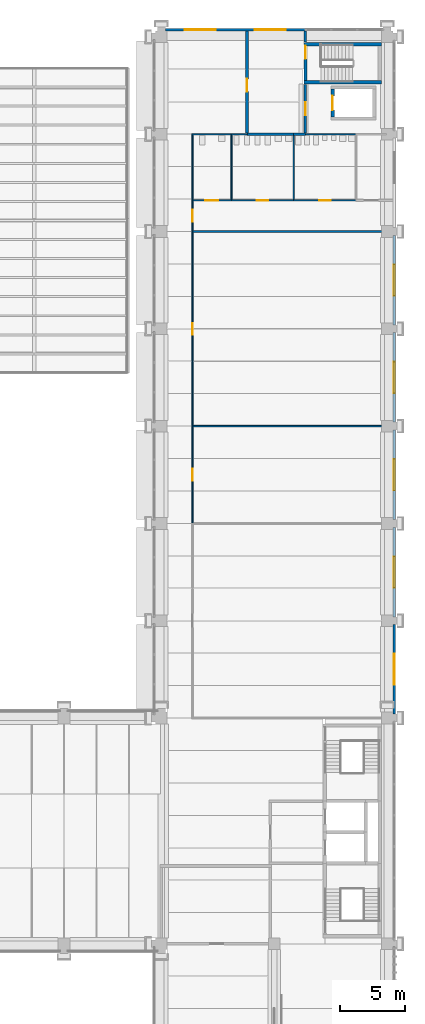
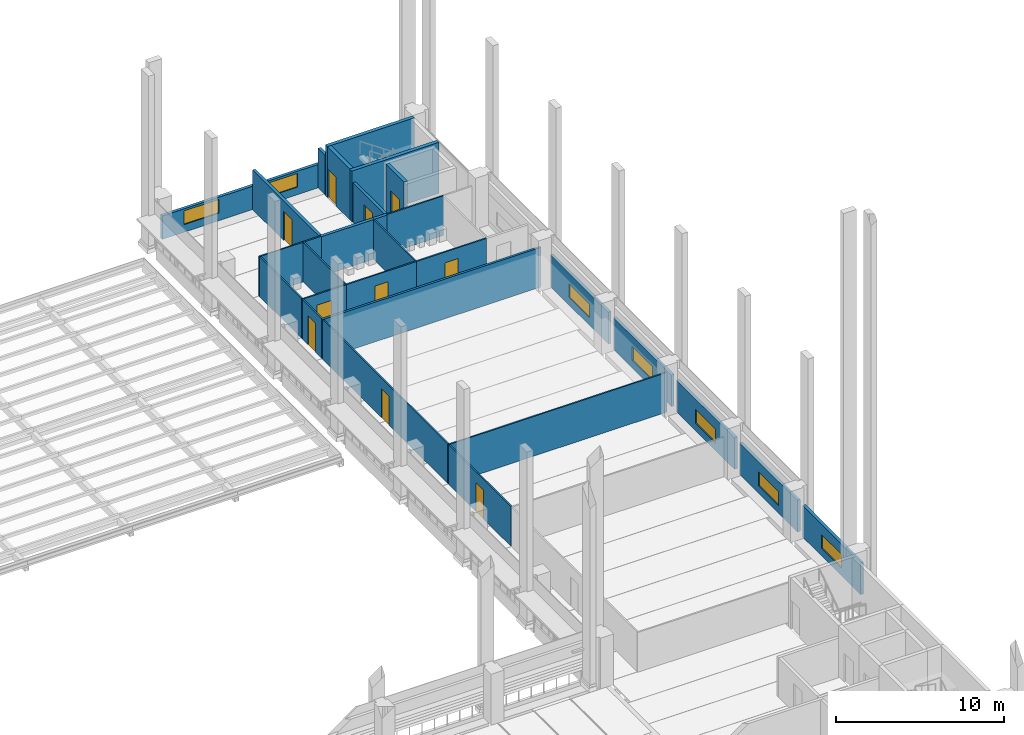
# One storey, part 40 of 67: 29 walls, 10 doors, 7 windows, 17 openings.
"""IFC4 building model written with IfcOpenShell, lengths in metres."""

from ifc_helpers import new_model, si_unit, direction, frame, frame_2d, origin, place, context, subcontext, project, spatial, rectangle, extrude, material, layer, layer_set, type_object, element, fill, save


model = new_model("IFC4")

# Units and contexts
model_context = context("Model", 3, precision=1e-05, world=origin(), true_north=direction((0.0, 1.0)))
body_context = subcontext(model_context, "Body", "Model", "MODEL_VIEW")
ifc_project = project(units=[si_unit("LENGTHUNIT", "METRE"), si_unit("AREAUNIT", "SQUARE_METRE"), si_unit("VOLUMEUNIT", "CUBIC_METRE"), si_unit("PLANEANGLEUNIT", "RADIAN"), si_unit("MASSUNIT", "GRAM", prefix="KILO")], contexts=[model_context])

# Site, building, storey
site_placement = place(None, origin())
site = spatial("IfcSite", under=ifc_project, at=site_placement, CompositionType="ELEMENT")
building_placement = place(site_placement, origin())
building = spatial("IfcBuilding", under=site, at=building_placement, Name="Cour d'Honneur Mobility Palace", CompositionType="ELEMENT")
storey_placement = place(building_placement, frame((0.0, 0.0, 4.5)))
storey = spatial("IfcBuildingStorey", under=building, at=storey_placement, Name="L01", CompositionType="ELEMENT", Elevation=4.5)

# Wall, opening, door
ifc_material_1 = material(Name="Concrete C50", Category="concrete")
ifc_layer_1 = layer(ifc_material_1, 0.25)
ifc_layer_set_1 = layer_set([ifc_layer_1], Name="Concrete C50")
wall_type_1 = type_object("IfcWallType", Name="Lift shaft wall 250", PredefinedType="SHEAR", material=ifc_layer_set_1)
wall_1_placement = place(storey_placement, frame((158.10009765625, 108.72509765625, 0.0), z_axis=(0.0, 0.0, 1.0), x_axis=(0.0, 1.0, 0.0)))
wall_1 = element("IfcWall", 1, at=wall_1_placement, inside=storey, type_object=wall_type_1, Name="Lift shaft wall WL-NE6 L01", PredefinedType="SHEAR", context=body_context, shape_type="SweptSolid", body=[
    extrude(rectangle(XDim=2.14990234375, YDim=0.25, at=frame_2d((1.074951171875, 0.0))), origin(), (0.0, 0.0, 1.0), 3.699951171875),
])
opening_1_placement = place(wall_1_placement, frame((0.52490234375, 0.0, 0.0)))
opening_1 = element("IfcOpeningElement", 2, at=opening_1_placement, cuts=wall_1, Name="Opening LD60", PredefinedType="OPENING", context=body_context, shape_type="SweptSolid", body=[
    extrude(rectangle(XDim=1.10009765625, YDim=2.10009765625, at=frame_2d((0.550048828125, 1.050048828125))), frame((0.0, 0.135009765625, 0.0), z_axis=(0.0, -1.0, 0.0), x_axis=(1.0, 0.0, 0.0)), (0.0, 0.0, 1.0), 0.27001953125),
])
ifc_material_2 = material(Name="Stainless steel", Category="steel")
door_type_1 = type_object("IfcDoorType", Name="Landing door 1100 x 2100", OperationType="SLIDING_TO_LEFT", PredefinedType="DOOR", material=ifc_material_2)
door_1_placement = place(opening_1_placement, origin())
door_1 = element("IfcDoor", 3, at=door_1_placement, inside=storey, type_object=door_type_1, Name="Landing door LF-NE1 L01", OperationType="SLIDING_TO_LEFT", OverallHeight=2.10009765625, OverallWidth=1.10009765625, PredefinedType="DOOR", context=body_context, shape_type="SweptSolid", body=[
    extrude(rectangle(XDim=1.10009765625, YDim=2.10009765625, at=frame_2d((0.550048828125, 1.050048828125))), frame((0.0, 0.02490234375, 0.0), z_axis=(0.0, -1.0, 0.0), x_axis=(1.0, 0.0, 0.0)), (0.0, 0.0, 1.0), 0.050048828125),
])
fill(opening_1, door_1)

ifc_material_3 = material(Name="Concrete C50", Category="concrete")
ifc_layer_2 = layer(ifc_material_3, 0.199951171875)
ifc_layer_set_2 = layer_set([ifc_layer_2], Name="Concrete C50")
wall_type_2 = type_object("IfcWallType", Name="Load-bearing lobby wall 200 rated EI 120", PredefinedType="PARTITIONING", material=ifc_layer_set_2)
wall_2_placement = place(storey_placement, frame((156.0, 107.5, 0.0), z_axis=(0.0, 0.0, 1.0), x_axis=(0.0, 1.0, 0.0)))
wall_2 = element("IfcWall", 4, at=wall_2_placement, inside=storey, type_object=wall_type_2, Name="Partition 081", PredefinedType="PARTITIONING", context=body_context, shape_type="SweptSolid", body=[
    extrude(rectangle(XDim=3.72509765625, YDim=0.199951171875, at=frame_2d((1.862548828125, 0.0))), origin(), (0.0, 0.0, 1.0), 2.8798828125),
])
opening_2_placement = place(wall_2_placement, frame((1.362548828125, 0.0, 0.0)))
opening_2 = element("IfcOpeningElement", 5, at=opening_2_placement, cuts=wall_2, Name="Opening D0130", PredefinedType="OPENING", context=body_context, shape_type="SweptSolid", body=[
    extrude(rectangle(XDim=1.0, YDim=2.10009765625, at=frame_2d((0.5, 1.050048828125))), frame((0.0, 0.10986328125, 0.0), z_axis=(0.0, -1.0, 0.0), x_axis=(1.0, 0.0, 0.0)), (0.0, 0.0, 1.0), 0.219970703125),
])
ifc_material_4 = material(Name="Galvanised steel", Category="steel")
door_type_2 = type_object("IfcDoorType", Name="Fire door FD120 1000 x 2100", OperationType="SINGLE_SWING_LEFT", PredefinedType="DOOR", material=ifc_material_4)
door_2_placement = place(opening_2_placement, origin())
door_2 = element("IfcDoor", 6, at=door_2_placement, inside=storey, type_object=door_type_2, Name="Door Lift Lobby", OperationType="SINGLE_SWING_RIGHT", OverallHeight=2.10009765625, OverallWidth=1.0, PredefinedType="DOOR", context=body_context, shape_type="SweptSolid", body=[
    extrude(rectangle(XDim=1.0, YDim=2.10009765625, at=frame_2d((0.5, 1.050048828125))), frame((0.0, 0.02490234375, 0.0), z_axis=(0.0, -1.0, 0.0), x_axis=(1.0, 0.0, 0.0)), (0.0, 0.0, 1.0), 0.050048828125),
])
fill(opening_2, door_2)

ifc_material_5 = material(Name="Gypsum plasterboard")
ifc_layer_3 = layer(ifc_material_5, 0.10009765625)
ifc_layer_set_3 = layer_set([ifc_layer_3], Name="Gypsum plasterboard")
wall_type_3 = type_object("IfcWallType", Name="Partition 100", PredefinedType="PARTITIONING", material=ifc_layer_set_3)
wall_3_placement = place(storey_placement, frame((147.300048828125, 84.85009765625, 0.0), z_axis=(0.0, 0.0, 1.0), x_axis=(0.0, -1.0, 0.0)))
wall_3 = element("IfcWall", 7, at=wall_3_placement, inside=storey, type_object=wall_type_3, Name="Partition 048", PredefinedType="PARTITIONING", context=body_context, shape_type="SweptSolid", body=[
    extrude(rectangle(XDim=7.400146484375, YDim=0.10009765625, at=frame_2d((3.7001953125, 0.0))), origin(), (0.0, 0.0, 1.0), 2.8798828125),
])
opening_3_placement = place(wall_3_placement, frame((3.25, 0.0, 0.0)))
opening_3 = element("IfcOpeningElement", 8, at=opening_3_placement, cuts=wall_3, Name="Opening D0121", PredefinedType="OPENING", context=body_context, shape_type="SweptSolid", body=[
    extrude(rectangle(XDim=0.89990234375, YDim=2.10009765625, at=frame_2d((0.449951171875, 1.050048828125))), frame((0.0, 0.06005859375, 0.0), z_axis=(0.0, -1.0, 0.0), x_axis=(1.0, 0.0, 0.0)), (0.0, 0.0, 1.0), 0.1201171875),
])
ifc_material_6 = material(Name="Solid timber", Category="wood")
door_type_3 = type_object("IfcDoorType", Name="Single door 900 x 2100", OperationType="SINGLE_SWING_LEFT", PredefinedType="DOOR", material=ifc_material_6)
door_3_placement = place(opening_3_placement, origin())
door_3 = element("IfcDoor", 9, at=door_3_placement, inside=storey, type_object=door_type_3, Name="Door Parts Store", OperationType="SINGLE_SWING_LEFT", OverallHeight=2.10009765625, OverallWidth=0.89990234375, PredefinedType="DOOR", context=body_context, shape_type="SweptSolid", body=[
    extrude(rectangle(XDim=0.89990234375, YDim=2.10009765625, at=frame_2d((0.449951171875, 1.050048828125))), frame((0.0, 0.02490234375, 0.0), z_axis=(0.0, -1.0, 0.0), x_axis=(1.0, 0.0, 0.0)), (0.0, 0.0, 1.0), 0.050048828125),
])
fill(opening_3, door_3)

# Wall
wall_4_placement = place(storey_placement, frame((162.239990234375, 84.89990234375, 0.0), z_axis=(0.0, 0.0, 1.0), x_axis=(-1.0, 0.0, 0.0)))
element("IfcWall", 10, at=wall_4_placement, inside=storey, type_object=wall_type_3, Name="Partition 049", PredefinedType="PARTITIONING", context=body_context, shape_type="SweptSolid", body=[
    extrude(rectangle(XDim=14.989990234375, YDim=0.10009765625, at=frame_2d((7.4951171875, 0.0))), origin(), (0.0, 0.0, 1.0), 2.8798828125),
])

# Wall, opening, door
wall_5_placement = place(storey_placement, frame((147.300048828125, 99.824951171875, 0.0), z_axis=(0.0, 0.0, 1.0), x_axis=(0.0, -1.0, 0.0)))
wall_5 = element("IfcWall", 11, at=wall_5_placement, inside=storey, type_object=wall_type_3, Name="Partition 052", PredefinedType="PARTITIONING", context=body_context, shape_type="SweptSolid", body=[
    extrude(rectangle(XDim=14.875, YDim=0.10009765625, at=frame_2d((7.4375, 0.0))), origin(), (0.0, 0.0, 1.0), 2.8798828125),
])
opening_4_placement = place(wall_5_placement, frame((6.987548828125, 0.0, 0.0)))
opening_4 = element("IfcOpeningElement", 12, at=opening_4_placement, cuts=wall_5, Name="Opening D0122", PredefinedType="OPENING", context=body_context, shape_type="SweptSolid", body=[
    extrude(rectangle(XDim=0.89990234375, YDim=2.10009765625, at=frame_2d((0.449951171875, 1.050048828125))), frame((0.0, 0.06005859375, 0.0), z_axis=(0.0, -1.0, 0.0), x_axis=(1.0, 0.0, 0.0)), (0.0, 0.0, 1.0), 0.1201171875),
])
door_4_placement = place(opening_4_placement, origin())
door_4 = element("IfcDoor", 13, at=door_4_placement, inside=storey, type_object=door_type_3, Name="Door Fleet Operations Centre", OperationType="SINGLE_SWING_LEFT", OverallHeight=2.10009765625, OverallWidth=0.89990234375, PredefinedType="DOOR", context=body_context, shape_type="SweptSolid", body=[
    extrude(rectangle(XDim=0.89990234375, YDim=2.10009765625, at=frame_2d((0.449951171875, 1.050048828125))), frame((0.0, 0.02490234375, 0.0), z_axis=(0.0, -1.0, 0.0), x_axis=(1.0, 0.0, 0.0)), (0.0, 0.0, 1.0), 0.050048828125),
])
fill(opening_4, door_4)

wall_6_placement = place(storey_placement, frame((147.300048828125, 102.25, 0.0), z_axis=(0.0, 0.0, 1.0), x_axis=(0.0, -1.0, 0.0)))
wall_6 = element("IfcWall", 14, at=wall_6_placement, inside=storey, type_object=wall_type_3, Name="Partition 062", PredefinedType="PARTITIONING", context=body_context, shape_type="SweptSolid", body=[
    extrude(rectangle(XDim=2.27490234375, YDim=0.10009765625, at=frame_2d((1.137451171875, 0.0))), origin(), (0.0, 0.0, 1.0), 2.8798828125),
])
opening_5_placement = place(wall_6_placement, frame((0.6875, 0.0, 0.0)))
opening_5 = element("IfcOpeningElement", 15, at=opening_5_placement, cuts=wall_6, Name="Opening D0123", PredefinedType="OPENING", context=body_context, shape_type="SweptSolid", body=[
    extrude(rectangle(XDim=0.89990234375, YDim=2.10009765625, at=frame_2d((0.449951171875, 1.050048828125))), frame((0.0, 0.06005859375, 0.0), z_axis=(0.0, -1.0, 0.0), x_axis=(1.0, 0.0, 0.0)), (0.0, 0.0, 1.0), 0.1201171875),
])
door_5_placement = place(opening_5_placement, origin())
door_5 = element("IfcDoor", 16, at=door_5_placement, inside=storey, type_object=door_type_3, Name="Door WC Corridor East", OperationType="SINGLE_SWING_LEFT", OverallHeight=2.10009765625, OverallWidth=0.89990234375, PredefinedType="DOOR", context=body_context, shape_type="SweptSolid", body=[
    extrude(rectangle(XDim=0.89990234375, YDim=2.10009765625, at=frame_2d((0.449951171875, 1.050048828125))), frame((0.0, 0.02490234375, 0.0), z_axis=(0.0, -1.0, 0.0), x_axis=(1.0, 0.0, 0.0)), (0.0, 0.0, 1.0), 0.050048828125),
])
fill(opening_5, door_5)

wall_7_placement = place(storey_placement, frame((150.300048828125, 102.300048828125, 0.0), z_axis=(0.0, 0.0, 1.0), x_axis=(-1.0, 0.0, 0.0)))
wall_7 = element("IfcWall", 17, at=wall_7_placement, inside=storey, type_object=wall_type_3, Name="Partition 063", PredefinedType="PARTITIONING", context=body_context, shape_type="SweptSolid", body=[
    extrude(rectangle(XDim=3.050048828125, YDim=0.10009765625, at=frame_2d((1.52490234375, 0.0))), origin(), (0.0, 0.0, 1.0), 2.8798828125),
])
opening_6_placement = place(wall_7_placement, frame((1.02490234375, 0.0, 0.0)))
opening_6 = element("IfcOpeningElement", 18, at=opening_6_placement, cuts=wall_7, Name="Opening D0127", PredefinedType="OPENING", context=body_context, shape_type="SweptSolid", body=[
    extrude(rectangle(XDim=1.0, YDim=2.10009765625, at=frame_2d((0.5, 1.050048828125))), frame((0.0, 0.06005859375, 0.0), z_axis=(0.0, -1.0, 0.0), x_axis=(1.0, 0.0, 0.0)), (0.0, 0.0, 1.0), 0.1201171875),
])
ifc_material_7 = material(Name="Solid timber", Category="wood")
door_type_4 = type_object("IfcDoorType", Name="Accessible door 1000 x 2100", OperationType="SINGLE_SWING_LEFT", PredefinedType="DOOR", material=ifc_material_7)
door_6_placement = place(opening_6_placement, origin())
door_6 = element("IfcDoor", 19, at=door_6_placement, inside=storey, type_object=door_type_4, Name="Door Accessible WC East", OperationType="SINGLE_SWING_RIGHT", OverallHeight=2.10009765625, OverallWidth=1.0, PredefinedType="DOOR", context=body_context, shape_type="SweptSolid", body=[
    extrude(rectangle(XDim=1.0, YDim=2.10009765625, at=frame_2d((0.5, 1.050048828125))), frame((0.0, 0.02490234375, 0.0), z_axis=(0.0, -1.0, 0.0), x_axis=(1.0, 0.0, 0.0)), (0.0, 0.0, 1.0), 0.050048828125),
])
fill(opening_6, door_6)

wall_8_placement = place(storey_placement, frame((155.10009765625, 102.300048828125, 0.0), z_axis=(0.0, 0.0, 1.0), x_axis=(-1.0, 0.0, 0.0)))
wall_8 = element("IfcWall", 20, at=wall_8_placement, inside=storey, type_object=wall_type_3, Name="Partition 064", PredefinedType="PARTITIONING", context=body_context, shape_type="SweptSolid", body=[
    extrude(rectangle(XDim=4.800048828125, YDim=0.10009765625, at=frame_2d((2.39990234375, 0.0))), origin(), (0.0, 0.0, 1.0), 2.8798828125),
])
opening_7_placement = place(wall_8_placement, frame((1.949951171875, 0.0, 0.0)))
opening_7 = element("IfcOpeningElement", 21, at=opening_7_placement, cuts=wall_8, Name="Opening D0126", PredefinedType="OPENING", context=body_context, shape_type="SweptSolid", body=[
    extrude(rectangle(XDim=0.89990234375, YDim=2.10009765625, at=frame_2d((0.449951171875, 1.050048828125))), frame((0.0, 0.06005859375, 0.0), z_axis=(0.0, -1.0, 0.0), x_axis=(1.0, 0.0, 0.0)), (0.0, 0.0, 1.0), 0.1201171875),
])
door_7_placement = place(opening_7_placement, origin())
door_7 = element("IfcDoor", 22, at=door_7_placement, inside=storey, type_object=door_type_3, Name="Door WC Women East", OperationType="SINGLE_SWING_LEFT", OverallHeight=2.10009765625, OverallWidth=0.89990234375, PredefinedType="DOOR", context=body_context, shape_type="SweptSolid", body=[
    extrude(rectangle(XDim=0.89990234375, YDim=2.10009765625, at=frame_2d((0.449951171875, 1.050048828125))), frame((0.0, 0.02490234375, 0.0), z_axis=(0.0, -1.0, 0.0), x_axis=(1.0, 0.0, 0.0)), (0.0, 0.0, 1.0), 0.050048828125),
])
fill(opening_7, door_7)

wall_9_placement = place(storey_placement, frame((159.89990234375, 102.300048828125, 0.0), z_axis=(0.0, 0.0, 1.0), x_axis=(-1.0, 0.0, 0.0)))
wall_9 = element("IfcWall", 23, at=wall_9_placement, inside=storey, type_object=wall_type_3, Name="Partition 065", PredefinedType="PARTITIONING", context=body_context, shape_type="SweptSolid", body=[
    extrude(rectangle(XDim=4.7998046875, YDim=0.10009765625, at=frame_2d((2.39990234375, 0.0))), origin(), (0.0, 0.0, 1.0), 2.8798828125),
])
opening_8_placement = place(wall_9_placement, frame((1.949951171875, 0.0, 0.0)))
opening_8 = element("IfcOpeningElement", 24, at=opening_8_placement, cuts=wall_9, Name="Opening D0125", PredefinedType="OPENING", context=body_context, shape_type="SweptSolid", body=[
    extrude(rectangle(XDim=0.89990234375, YDim=2.10009765625, at=frame_2d((0.449951171875, 1.050048828125))), frame((0.0, 0.06005859375, 0.0), z_axis=(0.0, -1.0, 0.0), x_axis=(1.0, 0.0, 0.0)), (0.0, 0.0, 1.0), 0.1201171875),
])
door_8_placement = place(opening_8_placement, origin())
door_8 = element("IfcDoor", 25, at=door_8_placement, inside=storey, type_object=door_type_3, Name="Door WC Men East", OperationType="SINGLE_SWING_LEFT", OverallHeight=2.10009765625, OverallWidth=0.89990234375, PredefinedType="DOOR", context=body_context, shape_type="SweptSolid", body=[
    extrude(rectangle(XDim=0.89990234375, YDim=2.10009765625, at=frame_2d((0.449951171875, 1.050048828125))), frame((0.0, 0.02490234375, 0.0), z_axis=(0.0, -1.0, 0.0), x_axis=(1.0, 0.0, 0.0)), (0.0, 0.0, 1.0), 0.050048828125),
])
fill(opening_8, door_8)

# Walls
for number, where, z_axis, x_axis, name in (
    (26, (147.300048828125, 107.35009765625, 0.0), (0.0, 0.0, 1.0), (0.0, -1.0, 0.0), "Partition 074"),
    (27, (150.300048828125, 107.35009765625, 0.0), (0.0, 0.0, 1.0), (0.0, -1.0, 0.0), "Partition 075"),
):
    element("IfcWall", number, at=place(storey_placement, frame(where, z_axis=z_axis, x_axis=x_axis)), inside=storey, type_object=wall_type_3, Name=name, PredefinedType="PARTITIONING", context=body_context, shape_type="SweptSolid", body=[
        extrude(rectangle(XDim=5.0, YDim=0.10009765625, at=frame_2d((2.5, 0.0))), origin(), (0.0, 0.0, 1.0), 2.8798828125),
    ])
wall_10_placement = place(storey_placement, frame((150.300048828125, 107.39990234375, 0.0), z_axis=(0.0, 0.0, 1.0), x_axis=(-1.0, 0.0, 0.0)))
element("IfcWall", 28, at=wall_10_placement, inside=storey, type_object=wall_type_3, Name="Partition 076", PredefinedType="PARTITIONING", context=body_context, shape_type="SweptSolid", body=[
    extrude(rectangle(XDim=3.050048828125, YDim=0.10009765625, at=frame_2d((1.52490234375, 0.0))), origin(), (0.0, 0.0, 1.0), 2.8798828125),
])
wall_11_placement = place(storey_placement, frame((151.5, 107.39990234375, 0.0), z_axis=(0.0, 0.0, 1.0), x_axis=(-1.0, 0.0, 0.0)))
element("IfcWall", 29, at=wall_11_placement, inside=storey, type_object=wall_type_3, Name="Partition 077", PredefinedType="PARTITIONING", context=body_context, shape_type="SweptSolid", body=[
    extrude(rectangle(XDim=1.199951171875, YDim=0.10009765625, at=frame_2d((0.60009765625, 0.0))), origin(), (0.0, 0.0, 1.0), 2.8798828125),
])
wall_12_placement = place(storey_placement, frame((155.10009765625, 107.300048828125, 0.0), z_axis=(0.0, 0.0, 1.0), x_axis=(0.0, -1.0, 0.0)))
element("IfcWall", 30, at=wall_12_placement, inside=storey, type_object=wall_type_3, Name="Partition 079", PredefinedType="PARTITIONING", context=body_context, shape_type="SweptSolid", body=[
    extrude(rectangle(XDim=4.949951171875, YDim=0.10009765625, at=frame_2d((2.47509765625, 0.0))), origin(), (0.0, 0.0, 1.0), 2.8798828125),
])
wall_13_placement = place(storey_placement, frame((159.89990234375, 107.39990234375, 0.0), z_axis=(0.0, 0.0, 1.0), x_axis=(-1.0, 0.0, 0.0)))
element("IfcWall", 31, at=wall_13_placement, inside=storey, type_object=wall_type_3, Name="Partition 083", PredefinedType="PARTITIONING", context=body_context, shape_type="SweptSolid", body=[
    extrude(rectangle(XDim=3.89990234375, YDim=0.10009765625, at=frame_2d((1.949951171875, 0.0))), origin(), (0.0, 0.0, 1.0), 2.8798828125),
])
ifc_material_8 = material(Name="Gypsum plasterboard")
ifc_layer_4 = layer(ifc_material_8, 0.14990234375)
ifc_layer_set_4 = layer_set([ifc_layer_4], Name="Gypsum plasterboard")
wall_type_4 = type_object("IfcWallType", Name="Partition 150 rated EI 60", PredefinedType="PARTITIONING", material=ifc_layer_set_4)
wall_14_placement = place(storey_placement, frame((162.239990234375, 99.89990234375, 0.0), z_axis=(0.0, 0.0, 1.0), x_axis=(-1.0, 0.0, 0.0)))
element("IfcWall", 32, at=wall_14_placement, inside=storey, type_object=wall_type_4, Name="Partition 053", PredefinedType="PARTITIONING", context=body_context, shape_type="SweptSolid", body=[
    extrude(rectangle(XDim=14.989990234375, YDim=0.14990234375, at=frame_2d((7.4951171875, 0.0))), origin(), (0.0, 0.0, 1.0), 2.8798828125),
])
ifc_material_9 = material(Name="Gypsum plasterboard")
ifc_layer_5 = layer(ifc_material_9, 0.199951171875)
ifc_layer_set_5 = layer_set([ifc_layer_5], Name="Gypsum plasterboard")
wall_type_5 = type_object("IfcWallType", Name="Partition 200 rated EI 120", PredefinedType="PARTITIONING", material=ifc_layer_set_5)
wall_15_placement = place(storey_placement, frame((151.5, 107.39990234375, 0.0), z_axis=(0.0, 0.0, 1.0), x_axis=(1.0, 0.0, 0.0)))
element("IfcWall", 33, at=wall_15_placement, inside=storey, type_object=wall_type_5, Name="Partition 078", PredefinedType="PARTITIONING", context=body_context, shape_type="SweptSolid", body=[
    extrude(rectangle(XDim=3.60009765625, YDim=0.199951171875, at=frame_2d((1.800048828125, 0.0))), origin(), (0.0, 0.0, 1.0), 2.8798828125),
])
wall_16_placement = place(storey_placement, frame((155.10009765625, 107.39990234375, 0.0), z_axis=(0.0, 0.0, 1.0), x_axis=(1.0, 0.0, 0.0)))
element("IfcWall", 34, at=wall_16_placement, inside=storey, type_object=wall_type_5, Name="Partition 080", PredefinedType="PARTITIONING", context=body_context, shape_type="SweptSolid", body=[
    extrude(rectangle(XDim=0.89990234375, YDim=0.199951171875, at=frame_2d((0.449951171875, 0.0))), origin(), (0.0, 0.0, 1.0), 2.8798828125),
])
wall_17_placement = place(storey_placement, frame((156.0, 114.5, 0.0), z_axis=(0.0, 0.0, 1.0), x_axis=(0.0, 1.0, 0.0)))
element("IfcWall", 35, at=wall_17_placement, inside=storey, type_object=wall_type_5, Name="Partition 086", PredefinedType="PARTITIONING", context=body_context, shape_type="SweptSolid", body=[
    extrude(rectangle(XDim=0.85009765625, YDim=0.199951171875, at=frame_2d((0.425048828125, 0.0))), origin(), (0.0, 0.0, 1.0), 2.8798828125),
])

# Wall, opening, door
wall_18_placement = place(storey_placement, frame((151.5, 115.35009765625, 0.0), z_axis=(0.0, 0.0, 1.0), x_axis=(0.0, -1.0, 0.0)))
wall_18 = element("IfcWall", 36, at=wall_18_placement, inside=storey, type_object=wall_type_5, Name="Partition 088", PredefinedType="PARTITIONING", context=body_context, shape_type="SweptSolid", body=[
    extrude(rectangle(XDim=7.85009765625, YDim=0.199951171875, at=frame_2d((3.925048828125, 0.0))), origin(), (0.0, 0.0, 1.0), 2.8798828125),
])
opening_9_placement = place(wall_18_placement, frame((3.679931640625, 0.0, 0.0)))
opening_9 = element("IfcOpeningElement", 37, at=opening_9_placement, cuts=wall_18, Name="Opening D0103", PredefinedType="OPENING", context=body_context, shape_type="SweptSolid", body=[
    extrude(rectangle(XDim=1.0, YDim=2.10009765625, at=frame_2d((0.5, 1.050048828125))), frame((0.0, 0.10986328125, 0.0), z_axis=(0.0, -1.0, 0.0), x_axis=(1.0, 0.0, 0.0)), (0.0, 0.0, 1.0), 0.219970703125),
])
door_9_placement = place(opening_9_placement, origin())
door_9 = element("IfcDoor", 38, at=door_9_placement, inside=storey, type_object=door_type_2, Name="Door Lift Lobby NE", OperationType="SINGLE_SWING_RIGHT", OverallHeight=2.10009765625, OverallWidth=1.0, PredefinedType="DOOR", context=body_context, shape_type="SweptSolid", body=[
    extrude(rectangle(XDim=1.0, YDim=2.10009765625, at=frame_2d((0.5, 1.050048828125))), frame((0.0, 0.02490234375, 0.0), z_axis=(0.0, -1.0, 0.0), x_axis=(1.0, 0.0, 0.0)), (0.0, 0.0, 1.0), 0.050048828125),
])
fill(opening_9, door_9)

# Wall, opening, window
ifc_material_10 = material(Name="Concrete C40", Category="concrete")
ifc_layer_6 = layer(ifc_material_10, 0.199951171875)
ifc_layer_set_6 = layer_set([ifc_layer_6], Name="Concrete C40")
wall_type_6 = type_object("IfcWallType", Name="Spandrel panel", PredefinedType="SOLIDWALL", material=ifc_layer_set_6)
wall_19_placement = place(storey_placement, frame((162.85009765625, 62.699951171875, 0.0), z_axis=(0.0, 0.0, 1.0), x_axis=(0.0, 1.0, 0.0)))
wall_19 = element("IfcWall", 39, at=wall_19_placement, inside=storey, type_object=wall_type_6, Name="Spandrel panel SW-33", PredefinedType="SOLIDWALL", context=body_context, shape_type="SweptSolid", body=[
    extrude(rectangle(XDim=6.900146484375, YDim=0.199951171875, at=frame_2d((3.4501953125, 0.0))), origin(), (0.0, 0.0, 1.0), 2.300048828125),
])
opening_10_placement = place(wall_19_placement, frame((2.25, 0.0, 0.550048828125)))
opening_10 = element("IfcOpeningElement", 40, at=opening_10_placement, cuts=wall_19, Name="Opening W2-33", PredefinedType="OPENING", context=body_context, shape_type="SweptSolid", body=[
    extrude(rectangle(XDim=2.39990234375, YDim=1.0, at=frame_2d((1.199951171875, 0.5))), frame((0.0, 0.10986328125, 0.0), z_axis=(0.0, -1.0, 0.0), x_axis=(1.0, 0.0, 0.0)), (0.0, 0.0, 1.0), 0.219970703125),
])
ifc_material_11 = material(Name="Aluminium frame and glass", Category="aluminium")
window_type = type_object("IfcWindowType", Name="Gallery window W2", PartitioningType="TRIPLE_PANEL_VERTICAL", PredefinedType="WINDOW", material=ifc_material_11)
window_1_placement = place(opening_10_placement, origin())
window_1 = element("IfcWindow", 41, at=window_1_placement, inside=storey, type_object=window_type, Name="Gallery window W2 W2-33", OverallHeight=1.0, OverallWidth=2.39990234375, PartitioningType="SINGLE_PANEL", PredefinedType="WINDOW", context=body_context, shape_type="SweptSolid", body=[
    extrude(rectangle(XDim=2.39990234375, YDim=1.0, at=frame_2d((1.199951171875, 0.5))), frame((0.0, 0.030029296875, 0.0), z_axis=(0.0, -1.0, 0.0), x_axis=(1.0, 0.0, 0.0)), (0.0, 0.0, 1.0), 0.06005859375),
])
fill(opening_10, window_1)

wall_20_placement = place(storey_placement, frame((162.85009765625, 70.199951171875, 0.0), z_axis=(0.0, 0.0, 1.0), x_axis=(0.0, 1.0, 0.0)))
wall_20 = element("IfcWall", 42, at=wall_20_placement, inside=storey, type_object=wall_type_6, Name="Spandrel panel SW-34", PredefinedType="SOLIDWALL", context=body_context, shape_type="SweptSolid", body=[
    extrude(rectangle(XDim=6.900146484375, YDim=0.199951171875, at=frame_2d((3.4501953125, 0.0))), origin(), (0.0, 0.0, 1.0), 2.300048828125),
])
opening_11_placement = place(wall_20_placement, frame((2.25, 0.0, 0.550048828125)))
opening_11 = element("IfcOpeningElement", 43, at=opening_11_placement, cuts=wall_20, Name="Opening W2-34", PredefinedType="OPENING", context=body_context, shape_type="SweptSolid", body=[
    extrude(rectangle(XDim=2.39990234375, YDim=1.0, at=frame_2d((1.199951171875, 0.5))), frame((0.0, 0.10986328125, 0.0), z_axis=(0.0, -1.0, 0.0), x_axis=(1.0, 0.0, 0.0)), (0.0, 0.0, 1.0), 0.219970703125),
])
window_2_placement = place(opening_11_placement, origin())
window_2 = element("IfcWindow", 44, at=window_2_placement, inside=storey, type_object=window_type, Name="Gallery window W2 W2-34", OverallHeight=1.0, OverallWidth=2.39990234375, PartitioningType="SINGLE_PANEL", PredefinedType="WINDOW", context=body_context, shape_type="SweptSolid", body=[
    extrude(rectangle(XDim=2.39990234375, YDim=1.0, at=frame_2d((1.199951171875, 0.5))), frame((0.0, 0.030029296875, 0.0), z_axis=(0.0, -1.0, 0.0), x_axis=(1.0, 0.0, 0.0)), (0.0, 0.0, 1.0), 0.06005859375),
])
fill(opening_11, window_2)

wall_21_placement = place(storey_placement, frame((162.85009765625, 77.699951171875, 0.0), z_axis=(0.0, 0.0, 1.0), x_axis=(0.0, 1.0, 0.0)))
wall_21 = element("IfcWall", 45, at=wall_21_placement, inside=storey, type_object=wall_type_6, Name="Spandrel panel SW-35", PredefinedType="SOLIDWALL", context=body_context, shape_type="SweptSolid", body=[
    extrude(rectangle(XDim=6.900146484375, YDim=0.199951171875, at=frame_2d((3.4501953125, 0.0))), origin(), (0.0, 0.0, 1.0), 2.300048828125),
])
opening_12_placement = place(wall_21_placement, frame((2.25, 0.0, 0.550048828125)))
opening_12 = element("IfcOpeningElement", 46, at=opening_12_placement, cuts=wall_21, Name="Opening W2-35", PredefinedType="OPENING", context=body_context, shape_type="SweptSolid", body=[
    extrude(rectangle(XDim=2.39990234375, YDim=1.0, at=frame_2d((1.199951171875, 0.5))), frame((0.0, 0.10986328125, 0.0), z_axis=(0.0, -1.0, 0.0), x_axis=(1.0, 0.0, 0.0)), (0.0, 0.0, 1.0), 0.219970703125),
])
window_3_placement = place(opening_12_placement, origin())
window_3 = element("IfcWindow", 47, at=window_3_placement, inside=storey, type_object=window_type, Name="Gallery window W2 W2-35", OverallHeight=1.0, OverallWidth=2.39990234375, PartitioningType="SINGLE_PANEL", PredefinedType="WINDOW", context=body_context, shape_type="SweptSolid", body=[
    extrude(rectangle(XDim=2.39990234375, YDim=1.0, at=frame_2d((1.199951171875, 0.5))), frame((0.0, 0.030029296875, 0.0), z_axis=(0.0, -1.0, 0.0), x_axis=(1.0, 0.0, 0.0)), (0.0, 0.0, 1.0), 0.06005859375),
])
fill(opening_12, window_3)

wall_22_placement = place(storey_placement, frame((162.85009765625, 85.199951171875, 0.0), z_axis=(0.0, 0.0, 1.0), x_axis=(0.0, 1.0, 0.0)))
wall_22 = element("IfcWall", 48, at=wall_22_placement, inside=storey, type_object=wall_type_6, Name="Spandrel panel SW-36", PredefinedType="SOLIDWALL", context=body_context, shape_type="SweptSolid", body=[
    extrude(rectangle(XDim=6.900146484375, YDim=0.199951171875, at=frame_2d((3.4501953125, 0.0))), origin(), (0.0, 0.0, 1.0), 2.300048828125),
])
opening_13_placement = place(wall_22_placement, frame((2.25, 0.0, 0.550048828125)))
opening_13 = element("IfcOpeningElement", 49, at=opening_13_placement, cuts=wall_22, Name="Opening W2-36", PredefinedType="OPENING", context=body_context, shape_type="SweptSolid", body=[
    extrude(rectangle(XDim=2.39990234375, YDim=1.0, at=frame_2d((1.199951171875, 0.5))), frame((0.0, 0.10986328125, 0.0), z_axis=(0.0, -1.0, 0.0), x_axis=(1.0, 0.0, 0.0)), (0.0, 0.0, 1.0), 0.219970703125),
])
window_4_placement = place(opening_13_placement, origin())
window_4 = element("IfcWindow", 50, at=window_4_placement, inside=storey, type_object=window_type, Name="Gallery window W2 W2-36", OverallHeight=1.0, OverallWidth=2.39990234375, PartitioningType="SINGLE_PANEL", PredefinedType="WINDOW", context=body_context, shape_type="SweptSolid", body=[
    extrude(rectangle(XDim=2.39990234375, YDim=1.0, at=frame_2d((1.199951171875, 0.5))), frame((0.0, 0.030029296875, 0.0), z_axis=(0.0, -1.0, 0.0), x_axis=(1.0, 0.0, 0.0)), (0.0, 0.0, 1.0), 0.06005859375),
])
fill(opening_13, window_4)

wall_23_placement = place(storey_placement, frame((162.85009765625, 92.699951171875, 0.0), z_axis=(0.0, 0.0, 1.0), x_axis=(0.0, 1.0, 0.0)))
wall_23 = element("IfcWall", 51, at=wall_23_placement, inside=storey, type_object=wall_type_6, Name="Spandrel panel SW-37", PredefinedType="SOLIDWALL", context=body_context, shape_type="SweptSolid", body=[
    extrude(rectangle(XDim=6.900146484375, YDim=0.199951171875, at=frame_2d((3.4501953125, 0.0))), origin(), (0.0, 0.0, 1.0), 2.300048828125),
])
opening_14_placement = place(wall_23_placement, frame((2.25, 0.0, 0.550048828125)))
opening_14 = element("IfcOpeningElement", 52, at=opening_14_placement, cuts=wall_23, Name="Opening W2-37", PredefinedType="OPENING", context=body_context, shape_type="SweptSolid", body=[
    extrude(rectangle(XDim=2.39990234375, YDim=1.0, at=frame_2d((1.199951171875, 0.5))), frame((0.0, 0.10986328125, 0.0), z_axis=(0.0, -1.0, 0.0), x_axis=(1.0, 0.0, 0.0)), (0.0, 0.0, 1.0), 0.219970703125),
])
window_5_placement = place(opening_14_placement, origin())
window_5 = element("IfcWindow", 53, at=window_5_placement, inside=storey, type_object=window_type, Name="Gallery window W2 W2-37", OverallHeight=1.0, OverallWidth=2.39990234375, PartitioningType="SINGLE_PANEL", PredefinedType="WINDOW", context=body_context, shape_type="SweptSolid", body=[
    extrude(rectangle(XDim=2.39990234375, YDim=1.0, at=frame_2d((1.199951171875, 0.5))), frame((0.0, 0.030029296875, 0.0), z_axis=(0.0, -1.0, 0.0), x_axis=(1.0, 0.0, 0.0)), (0.0, 0.0, 1.0), 0.06005859375),
])
fill(opening_14, window_5)

# Wall, openings, windows
wall_24_placement = place(storey_placement, frame((156.0, 115.449951171875, 0.0), z_axis=(0.0, 0.0, 1.0), x_axis=(-1.0, 0.0, 0.0)))
wall_24 = element("IfcWall", 54, at=wall_24_placement, inside=storey, type_object=wall_type_6, Name="Spandrel panel SW-40", PredefinedType="SOLIDWALL", context=body_context, shape_type="SweptSolid", body=[
    extrude(rectangle(XDim=10.800048828125, YDim=0.199951171875, at=frame_2d((5.39990234375, 0.0))), origin(), (0.0, 0.0, 1.0), 1.699951171875),
])
opening_15_placement = place(wall_24_placement, frame((1.5, 0.0, 0.550048828125)))
opening_15 = element("IfcOpeningElement", 55, at=opening_15_placement, cuts=wall_24, Name="Opening W2-39", PredefinedType="OPENING", context=body_context, shape_type="SweptSolid", body=[
    extrude(rectangle(XDim=2.39990234375, YDim=1.0, at=frame_2d((1.199951171875, 0.5))), frame((0.0, 0.10986328125, 0.0), z_axis=(0.0, -1.0, 0.0), x_axis=(1.0, 0.0, 0.0)), (0.0, 0.0, 1.0), 0.219970703125),
])
opening_16_placement = place(wall_24_placement, frame((6.89990234375, 0.0, 0.550048828125)))
opening_16 = element("IfcOpeningElement", 56, at=opening_16_placement, cuts=wall_24, Name="Opening W2-40", PredefinedType="OPENING", context=body_context, shape_type="SweptSolid", body=[
    extrude(rectangle(XDim=2.39990234375, YDim=1.0, at=frame_2d((1.199951171875, 0.5))), frame((0.0, 0.10986328125, 0.0), z_axis=(0.0, -1.0, 0.0), x_axis=(1.0, 0.0, 0.0)), (0.0, 0.0, 1.0), 0.219970703125),
])
window_6_placement = place(opening_15_placement, origin())
window_6 = element("IfcWindow", 57, at=window_6_placement, inside=storey, type_object=window_type, Name="Gallery window W2 W2-39", OverallHeight=1.0, OverallWidth=2.39990234375, PartitioningType="SINGLE_PANEL", PredefinedType="WINDOW", context=body_context, shape_type="SweptSolid", body=[
    extrude(rectangle(XDim=2.39990234375, YDim=1.0, at=frame_2d((1.199951171875, 0.5))), frame((0.0, 0.030029296875, 0.0), z_axis=(0.0, -1.0, 0.0), x_axis=(1.0, 0.0, 0.0)), (0.0, 0.0, 1.0), 0.06005859375),
])
fill(opening_15, window_6)
window_7_placement = place(opening_16_placement, origin())
window_7 = element("IfcWindow", 58, at=window_7_placement, inside=storey, type_object=window_type, Name="Gallery window W2 W2-40", OverallHeight=1.0, OverallWidth=2.39990234375, PartitioningType="SINGLE_PANEL", PredefinedType="WINDOW", context=body_context, shape_type="SweptSolid", body=[
    extrude(rectangle(XDim=2.39990234375, YDim=1.0, at=frame_2d((1.199951171875, 0.5))), frame((0.0, 0.030029296875, 0.0), z_axis=(0.0, -1.0, 0.0), x_axis=(1.0, 0.0, 0.0)), (0.0, 0.0, 1.0), 0.06005859375),
])
fill(opening_16, window_7)

# Walls
ifc_material_12 = material(Name="Concrete C50", Category="concrete")
ifc_layer_7 = layer(ifc_material_12, 0.25)
ifc_layer_set_7 = layer_set([ifc_layer_7], Name="Concrete C50")
wall_type_7 = type_object("IfcWallType", Name="Stair wall 250", PredefinedType="SHEAR", material=ifc_layer_set_7)
for number, where, z_axis, x_axis, name in (
    (59, (155.875, 111.39990234375, 0.0), (0.0, 0.0, 1.0), (1.0, 0.0, 0.0), "Stair wall WS-NE3 L01"),
    (60, (155.875, 114.324951171875, 0.0), (0.0, 0.0, 1.0), (1.0, 0.0, 0.0), "Stair wall WS-NE4 L01"),
):
    element("IfcWall", number, at=place(storey_placement, frame(where, z_axis=z_axis, x_axis=x_axis)), inside=storey, type_object=wall_type_7, Name=name, PredefinedType="SHEAR", context=body_context, shape_type="SweptSolid", body=[
        extrude(rectangle(XDim=5.97509765625, YDim=0.25, at=frame_2d((2.987548828125, 0.0))), origin(), (0.0, 0.0, 1.0), 3.699951171875),
    ])

# Wall, opening, door
wall_25_placement = place(storey_placement, frame((156.0, 111.52490234375, 0.0), z_axis=(0.0, 0.0, 1.0), x_axis=(0.0, 1.0, 0.0)))
wall_25 = element("IfcWall", 61, at=wall_25_placement, inside=storey, type_object=wall_type_7, Name="Stair wall WS-NE5 L01", PredefinedType="SHEAR", context=body_context, shape_type="SweptSolid", body=[
    extrude(rectangle(XDim=2.675048828125, YDim=0.25, at=frame_2d((1.33740234375, 0.0))), origin(), (0.0, 0.0, 1.0), 3.699951171875),
])
opening_17_placement = place(wall_25_placement, frame((1.675048828125, 0.0, 0.0)))
opening_17 = element("IfcOpeningElement", 62, at=opening_17_placement, cuts=wall_25, Name="Opening S104", PredefinedType="OPENING", context=body_context, shape_type="SweptSolid", body=[
    extrude(rectangle(XDim=1.0, YDim=2.10009765625, at=frame_2d((0.5, 1.050048828125))), frame((0.0, 0.135009765625, 0.0), z_axis=(0.0, -1.0, 0.0), x_axis=(1.0, 0.0, 0.0)), (0.0, 0.0, 1.0), 0.27001953125),
])
ifc_material_13 = material(Name="Galvanised steel", Category="steel")
door_type_5 = type_object("IfcDoorType", Name="Fire door FD120 stair 1000 x 2100", OperationType="SINGLE_SWING_LEFT", PredefinedType="DOOR", material=ifc_material_13)
door_10_placement = place(opening_17_placement, origin())
door_10 = element("IfcDoor", 63, at=door_10_placement, inside=storey, type_object=door_type_5, Name="Stair door ST-NE1 L01", OperationType="SINGLE_SWING_RIGHT", OverallHeight=2.10009765625, OverallWidth=1.0, PredefinedType="DOOR", context=body_context, shape_type="SweptSolid", body=[
    extrude(rectangle(XDim=1.0, YDim=2.10009765625, at=frame_2d((0.5, 1.050048828125))), frame((0.0, 0.02490234375, 0.0), z_axis=(0.0, -1.0, 0.0), x_axis=(1.0, 0.0, 0.0)), (0.0, 0.0, 1.0), 0.050048828125),
])
fill(opening_17, door_10)

save(model, "model.ifc")
